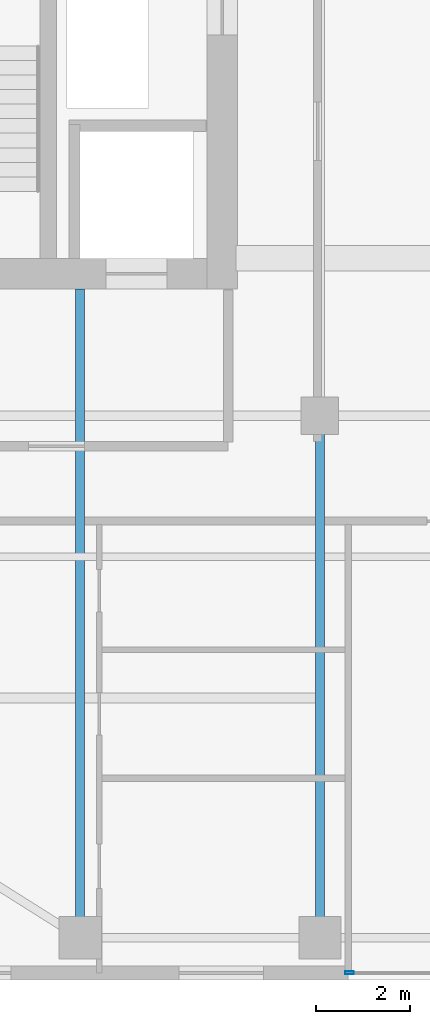
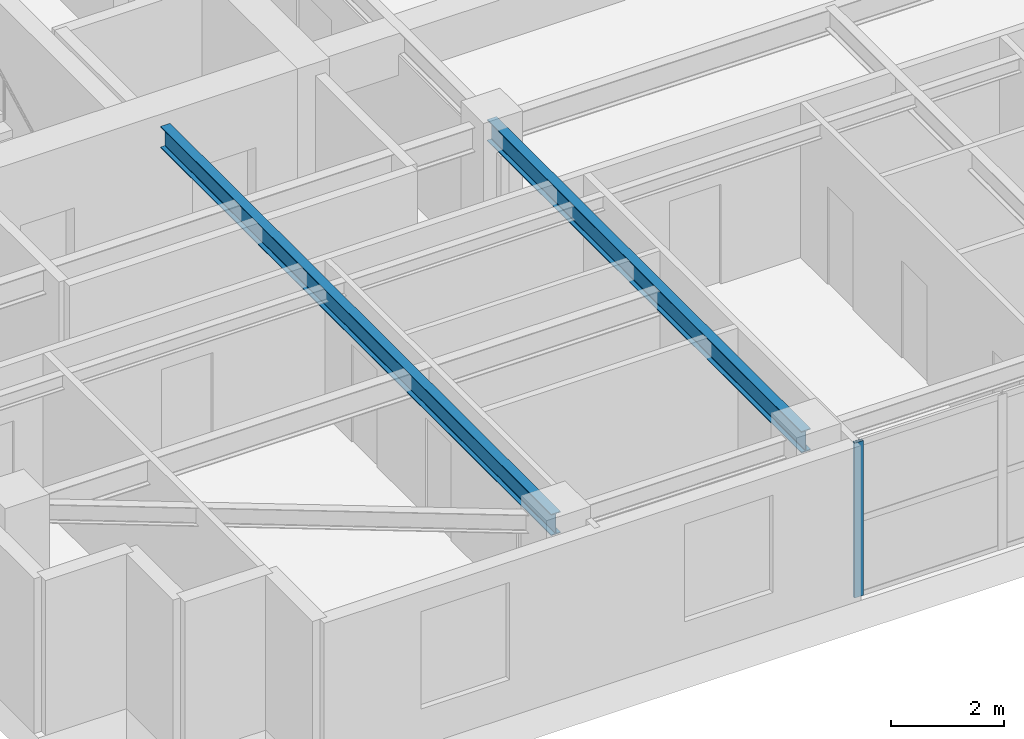
# One storey, part 2 of 24: 2 beams, 1 member, 1 element without a shape of its own.
"""IFC4 building model written with IfcOpenShell, lengths in metres."""

from ifc_helpers import new_model, si_unit, direction, frame, origin, origin_2d, place, context, subcontext, project, spatial, hollow_rectangle, i_section, extrude, source, transform, mapped, material, layer, layer_set, material_profile, profile_set, type_object, element, aggregate, save


model = new_model("IFC4")

# Units and contexts
model_context = context("Model", 3, precision=1e-05, world=origin(), true_north=direction((0.0, 1.0)))
body_context = subcontext(model_context, "Body", "Model", "MODEL_VIEW")
ifc_project = project(units=[si_unit("LENGTHUNIT", "METRE"), si_unit("AREAUNIT", "SQUARE_METRE"), si_unit("VOLUMEUNIT", "CUBIC_METRE"), si_unit("PLANEANGLEUNIT", "RADIAN"), si_unit("MASSUNIT", "GRAM", prefix="KILO")], contexts=[model_context])

# Site, building, storey
site_placement = place(None, origin())
site = spatial("IfcSite", under=ifc_project, at=site_placement, CompositionType="ELEMENT")
building_placement = place(site_placement, origin())
building = spatial("IfcBuilding", under=site, at=building_placement, Name="Khoralis Quay Care Tower", CompositionType="ELEMENT")
storey_placement = place(building_placement, frame((0.0, 0.0, 155.699951171875)))
storey = spatial("IfcBuildingStorey", under=building, at=storey_placement, Name="L40", CompositionType="ELEMENT", Elevation=155.699951171875)

# Beams
ifc_material_1 = material(Name="Steel S355", Category="steel")
ifc_material_profile_1 = material_profile(ifc_material_1, i_section(OverallWidth=0.19189453125, OverallDepth=0.462890625, WebThickness=0.010498046875, FlangeThickness=0.017578125, FilletRadius=0.014892578125, at=origin_2d()), Name="Steel S355")
ifc_profile_set_1 = profile_set([ifc_material_profile_1], Name="Steel S355")
beam_type = type_object("IfcBeamType", Name="BM-W460X89", PredefinedType="BEAM", material=ifc_profile_set_1)
shared_shape_1 = source(origin(), body_context, "Body", "SweptSolid", [
    extrude(i_section(OverallWidth=0.19189453125, OverallDepth=0.462890625, WebThickness=0.010498046875, FlangeThickness=0.017578125, FilletRadius=0.014892578125, at=origin_2d()), origin(), (0.0, 0.0, 1.0), 13.802001953125),
])
beam_1_placement = place(storey_placement, frame((12.0, 0.89990234375, 3.108642578125), z_axis=(0.0, 1.0, 0.0), x_axis=(-1.0, 0.0, 0.0)))
element("IfcBeam", 1, at=beam_1_placement, inside=storey, type_object=beam_type, Name="BM-TGYS-L40-120", PredefinedType="BEAM", context=body_context, shape_type="MappedRepresentation", body=[
    mapped(shared_shape_1, transform((0.0, 0.0, 0.0), scale=1.0)),
])
shared_shape_2 = source(origin(), body_context, "Body", "SweptSolid", [
    extrude(i_section(OverallWidth=0.19189453125, OverallDepth=0.462890625, WebThickness=0.010498046875, FlangeThickness=0.017578125, FilletRadius=0.014892578125, at=origin_2d()), origin(), (0.0, 0.0, 1.0), 11.10009765625),
])
beam_2_placement = place(storey_placement, frame((17.10009765625, 0.89990234375, 3.108642578125), z_axis=(0.0, 1.0, 0.0), x_axis=(-1.0, 0.0, 0.0)))
element("IfcBeam", 2, at=beam_2_placement, inside=storey, type_object=beam_type, Name="BM-TGYS-L40-171", PredefinedType="BEAM", context=body_context, shape_type="MappedRepresentation", body=[
    mapped(shared_shape_2, transform((0.0, 0.0, 0.0), scale=1.0)),
])

# Curtain wall, member
ifc_material_2 = material(Name="Pale anodised aluminium", Category="aluminium")
ifc_layer = layer(ifc_material_2, 0.159912109375)
ifc_layer_set = layer_set([ifc_layer], Name="Pale anodised aluminium")
curtain_wall_type = type_object("IfcCurtainWallType", Name="CW-SYS-Z3", PredefinedType="NOTDEFINED", material=ifc_layer_set)
curtain_wall_placement = place(storey_placement, origin())
curtain_wall = element("IfcCurtainWall", 3, at=curtain_wall_placement, inside=storey, type_object=curtain_wall_type, Name="L40 Unitised Curtain Wall CW-L40-P1-E0", PredefinedType="NOTDEFINED")
ifc_material_profile_2 = material_profile(ifc_material_2, hollow_rectangle(XDim=0.06494140625, YDim=0.179931640625, WallThickness=0.00390625, at=origin_2d()), Name="Pale anodised aluminium")
ifc_profile_set_2 = profile_set([ifc_material_profile_2], Name="Pale anodised aluminium")
member_type = type_object("IfcMemberType", Name="CW-MUL-180", PredefinedType="MULLION", material=ifc_profile_set_2)
shared_shape_3 = source(origin(), body_context, "Body", "SweptSolid", [
    extrude(hollow_rectangle(XDim=0.06494140625, YDim=0.179931640625, WallThickness=0.00390625, at=origin_2d()), origin(), (0.0, 0.0, 1.0), 3.340087890625),
])
member_placement = place(storey_placement, frame((17.72998046875, 0.14990234375, 0.0), z_axis=(0.0, 0.0, 1.0), x_axis=(0.0, 1.0, 0.0)))
member = element("IfcMember", 4, at=member_placement, type_object=member_type, Name="CW3 mullion 1", PredefinedType="MULLION", context=body_context, shape_type="MappedRepresentation", body=[
    mapped(shared_shape_3, transform((0.0, 0.0, 0.0), scale=1.0)),
])
aggregate(curtain_wall, [member])

save(model, "model.ifc")
